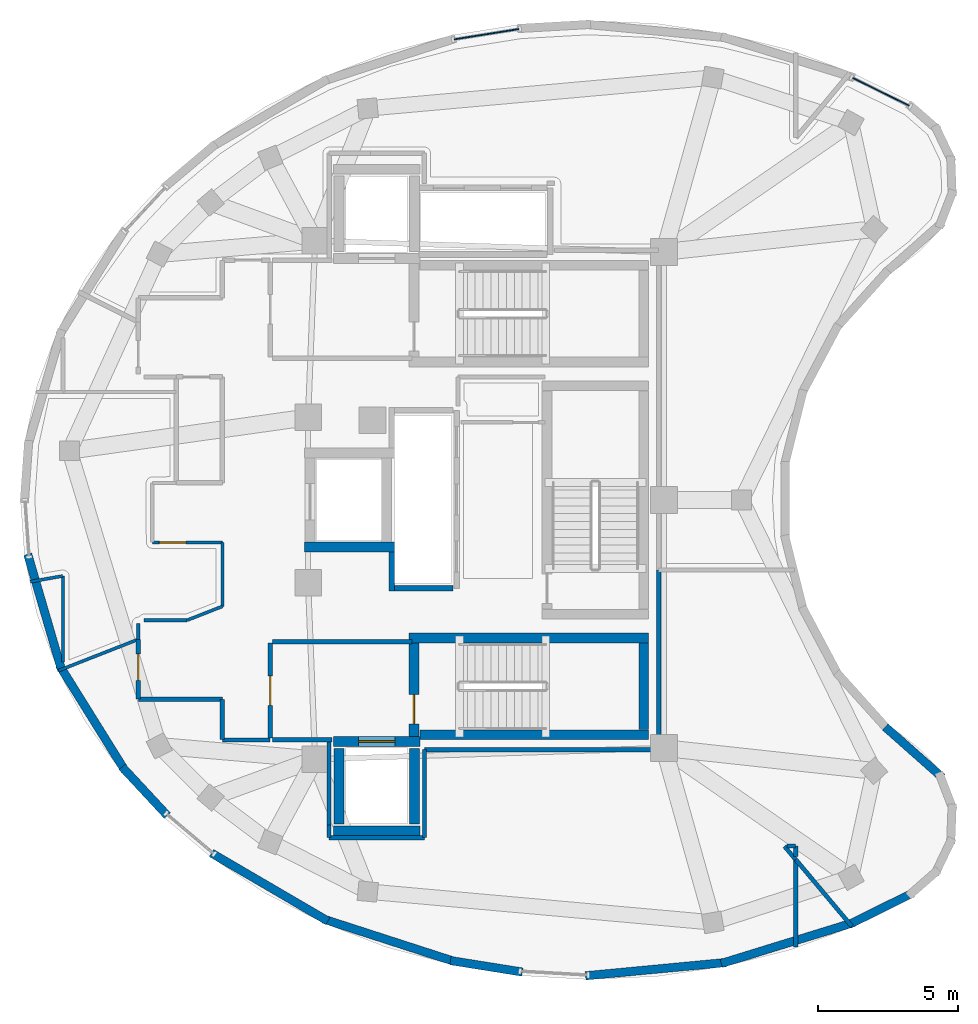
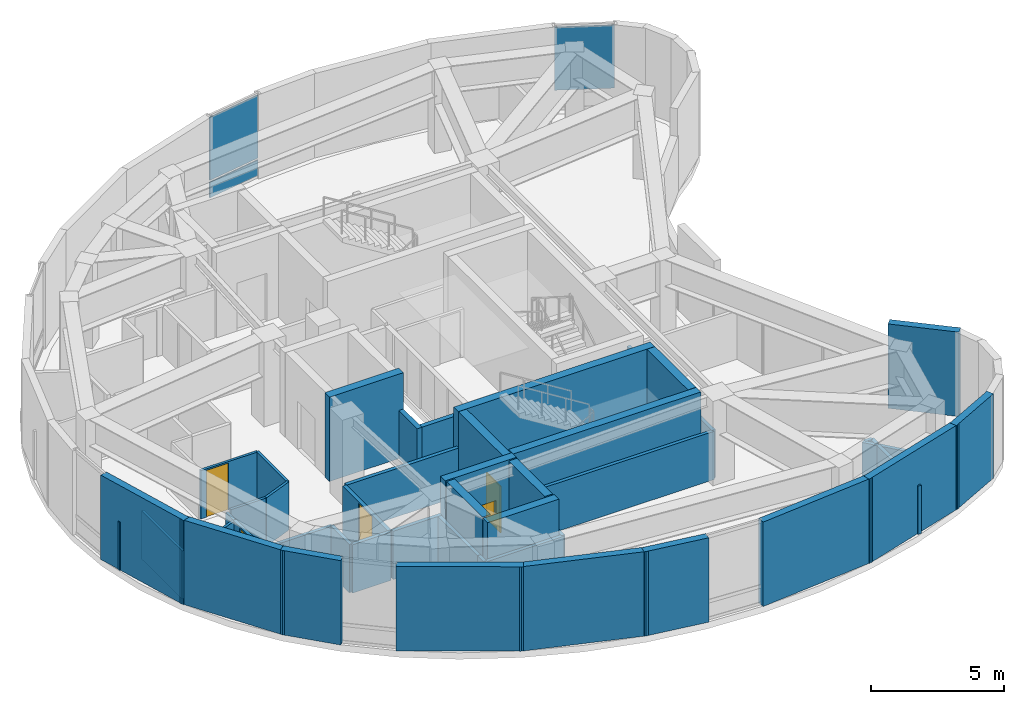
# One storey, part 3 of 8: 47 walls, 5 doors, 3 plates, 5 openings, 2 elements without a shape of their own.
"""IFC4 building model written with IfcOpenShell, lengths in metres."""

from ifc_helpers import new_model, si_unit, direction, frame, frame_2d, origin, origin_2d, place, context, subcontext, project, spatial, rectangle, extrude, material, layer, layer_set, type_object, element, fill, aggregate, save


model = new_model("IFC4")

# Units and contexts
model_context = context("Model", 3, precision=1e-05, world=origin(), true_north=direction((0.0, 1.0)))
body_context = subcontext(model_context, "Body", "Model", "MODEL_VIEW")
ifc_project = project(units=[si_unit("LENGTHUNIT", "METRE"), si_unit("AREAUNIT", "SQUARE_METRE"), si_unit("VOLUMEUNIT", "CUBIC_METRE"), si_unit("PLANEANGLEUNIT", "RADIAN"), si_unit("MASSUNIT", "GRAM", prefix="KILO")], contexts=[model_context])

# Site, building, storey
site_placement = place(None, origin())
site = spatial("IfcSite", under=ifc_project, at=site_placement, CompositionType="ELEMENT")
building_placement = place(site_placement, origin())
building = spatial("IfcBuilding", under=site, at=building_placement, Name="Korentha Bioscience Tower", CompositionType="ELEMENT")
storey_placement = place(building_placement, frame((0.0, 0.0, 331.199951171875)))
storey = spatial("IfcBuildingStorey", under=building, at=storey_placement, Name="L76", CompositionType="ELEMENT", Elevation=331.199951171875)

# Curtain wall, plate
ifc_material_1 = material(Name="Structural Silicone Glazed Aluminium", Category="aluminium")
ifc_layer_1 = layer(ifc_material_1, 0.219970703125, Name="Structural Silicone Glazed Aluminium")
ifc_layer_set_1 = layer_set([ifc_layer_1], Name="Structural Silicone Glazed Aluminium (CW-O1)")
curtain_wall_type = type_object("IfcCurtainWallType", Name="Sky Observatory Acoustic Curtain Wall CW-O1", PredefinedType="USERDEFINED", material=ifc_layer_set_1)
curtain_wall_1_placement = place(storey_placement, origin())
curtain_wall_1 = element("IfcCurtainWall", 1, at=curtain_wall_1_placement, inside=storey, type_object=curtain_wall_type, Name="L76 Curtain Wall 01", ObjectType="UNITISED", PredefinedType="USERDEFINED")
ifc_material_2 = material(Name="Triple-Glazed Low-E Insulated Glass", Category="glass")
ifc_layer_2 = layer(ifc_material_2, 0.0439453125, Name="Triple-Glazed Low-E Insulated Glass")
ifc_layer_set_2 = layer_set([ifc_layer_2], Name="Triple-Glazed Low-E Insulated Glass (GL-44)")
plate_type = type_object("IfcPlateType", Name="Glazed Panel 44mm", PredefinedType="CURTAIN_PANEL", material=ifc_layer_set_2)
plate_1_placement = place(storey_placement, frame((45.29150390625, 41.56396484375, 0.89501953125), z_axis=(0.0, 0.0, 1.0), x_axis=(-0.896323012649, 0.443401688085, 0.0)))
plate_1 = element("IfcPlate", 2, at=plate_1_placement, type_object=plate_type, Name="CW-L76-01 Bay 1 Glazed Panel 2", PredefinedType="CURTAIN_PANEL", context=body_context, shape_type="SweptSolid", body=[
    extrude(rectangle(XDim=2.257080078125, YDim=0.0439453125, at=origin_2d()), origin(), (0.0, 0.0, 1.0), 2.89501953125),
])
aggregate(curtain_wall_1, [plate_1])

# Curtain wall, plates
curtain_wall_2_placement = place(storey_placement, origin())
curtain_wall_2 = element("IfcCurtainWall", 3, at=curtain_wall_2_placement, inside=storey, type_object=curtain_wall_type, Name="L76 Curtain Wall 07", ObjectType="UNITISED", PredefinedType="USERDEFINED")
plate_2_placement = place(storey_placement, frame((31.216796875, 43.619873046875, 0.08984375), z_axis=(0.0, 0.0, 1.0), x_axis=(-0.98751628191, -0.157516960875, 0.0)))
plate_2 = element("IfcPlate", 4, at=plate_2_placement, type_object=plate_type, Name="CW-L76-07 Bay 1 Glazed Panel 1", PredefinedType="CURTAIN_PANEL", context=body_context, shape_type="SweptSolid", body=[
    extrude(rectangle(XDim=2.34033203125, YDim=0.0439453125, at=origin_2d()), origin(), (0.0, 0.0, 1.0), 0.715087890625),
])
plate_3_placement = place(storey_placement, frame((31.216796875, 43.619873046875, 0.89501953125), z_axis=(0.0, 0.0, 1.0), x_axis=(-0.98751628191, -0.157516960875, 0.0)))
plate_3 = element("IfcPlate", 5, at=plate_3_placement, type_object=plate_type, Name="CW-L76-07 Bay 1 Glazed Panel 2", PredefinedType="CURTAIN_PANEL", context=body_context, shape_type="SweptSolid", body=[
    extrude(rectangle(XDim=2.34033203125, YDim=0.0439453125, at=origin_2d()), origin(), (0.0, 0.0, 1.0), 2.89501953125),
])
aggregate(curtain_wall_2, [plate_2, plate_3])

# Wall, opening, door
ifc_material_3 = material(Name="Double-Stud Acoustic Gypsum", Category="gypsum")
ifc_layer_3 = layer(ifc_material_3, 0.14990234375, Name="Double-Stud Acoustic Gypsum")
ifc_layer_set_3 = layer_set([ifc_layer_3], Name="Double-Stud Acoustic Gypsum (IW-L150)")
wall_type_1 = type_object("IfcWallType", Name="Acoustic Laboratory Partition Wall 150", PredefinedType="PARTITIONING", material=ifc_layer_set_3)
wall_1_placement = place(storey_placement, frame((18.7900390625, 22.0166015625, 0.0), z_axis=(0.0, 0.0, 1.0), x_axis=(0.0, -1.0, 0.0)))
wall_1 = element("IfcWall", 6, at=wall_1_placement, inside=storey, type_object=wall_type_1, Name="L76 Staff Pantry Kitchenette 02 Entrance Wall", PredefinedType="PARTITIONING", context=body_context, shape_type="SweptSolid", body=[
    extrude(rectangle(XDim=2.11669921875, YDim=0.14990234375, at=frame_2d((1.058349609375, 0.0))), origin(), (0.0, 0.0, 1.0), 2.219970703125),
])
opening_1_placement = place(wall_1_placement, frame((0.5029296875, 0.0, 0.0)))
opening_1 = element("IfcOpeningElement", 7, at=opening_1_placement, cuts=wall_1, Name="Opening ID-10R", PredefinedType="OPENING", context=body_context, shape_type="SweptSolid", body=[
    extrude(rectangle(XDim=0.949951171875, YDim=2.14990234375, at=frame_2d((0.47509765625, 1.074951171875))), frame((0.0, 0.08984375, 0.0), z_axis=(0.0, -1.0, 0.0), x_axis=(1.0, 0.0, 0.0)), (0.0, 0.0, 1.0), 0.1796875),
])
ifc_material_4 = material(Name="Phenolic Laminate Timber Core", Category="wood")
door_type_1 = type_object("IfcDoorType", Name="Laboratory Single Leaf Door 950x2150 Right", OperationType="SINGLE_SWING_RIGHT", PredefinedType="DOOR", material=ifc_material_4)
door_1_placement = place(opening_1_placement, origin())
door_1 = element("IfcDoor", 8, at=door_1_placement, inside=storey, type_object=door_type_1, Name="L76 Staff Pantry Kitchenette 02 Door", OperationType="SINGLE_SWING_RIGHT", OverallHeight=2.14990234375, OverallWidth=0.949951171875, PredefinedType="DOOR", context=body_context, shape_type="SweptSolid", body=[
    extrude(rectangle(XDim=0.949951171875, YDim=2.14990234375, at=frame_2d((0.47509765625, 1.074951171875))), frame((0.0, 0.02490234375, 0.0), z_axis=(0.0, -1.0, 0.0), x_axis=(1.0, 0.0, 0.0)), (0.0, 0.0, 1.0), 0.050048828125),
])
fill(opening_1, door_1)

# Walls
wall_2_placement = place(storey_placement, frame((25.60009765625, 18.435791015625, 0.0), z_axis=(0.0, 0.0, 1.0), x_axis=(0.0, -1.0, 0.0)))
element("IfcWall", 9, at=wall_2_placement, inside=storey, type_object=wall_type_1, Name="L76 Interior Partition 024", PredefinedType="PARTITIONING", context=body_context, shape_type="SweptSolid", body=[
    extrude(rectangle(XDim=3.029296875, YDim=0.14990234375, at=frame_2d((1.5146484375, 0.0))), origin(), (0.0, 0.0, 1.0), 2.219970703125),
])
wall_3_placement = place(storey_placement, frame((25.60009765625, 15.397216796875, 0.0), z_axis=(0.0, 0.0, 1.0), x_axis=(0.0, -1.0, 0.0)))
element("IfcWall", 10, at=wall_3_placement, inside=storey, type_object=wall_type_1, Name="L76 Interior Partition 025", PredefinedType="PARTITIONING", context=body_context, shape_type="SweptSolid", body=[
    extrude(rectangle(XDim=0.443115234375, YDim=0.14990234375, at=frame_2d((0.2216796875, 0.0))), origin(), (0.0, 0.0, 1.0), 2.219970703125),
])
wall_4_placement = place(storey_placement, frame((25.60400390625, 14.949951171875, 0.0), z_axis=(0.0, 0.0, 1.0), x_axis=(1.0, 0.0, 0.0)))
element("IfcWall", 11, at=wall_4_placement, inside=storey, type_object=wall_type_1, Name="L76 Interior Partition 026", PredefinedType="PARTITIONING", context=body_context, shape_type="SweptSolid", body=[
    extrude(rectangle(XDim=3.391845703125, YDim=0.14990234375, at=frame_2d((1.69580078125, 0.0))), origin(), (0.0, 0.0, 1.0), 2.219970703125),
])
wall_5_placement = place(storey_placement, frame((29.0, 14.9541015625, 0.0), z_axis=(0.0, 0.0, 1.0), x_axis=(0.0, 1.0, 0.0)))
element("IfcWall", 12, at=wall_5_placement, inside=storey, type_object=wall_type_1, Name="L76 Interior Partition 027", PredefinedType="PARTITIONING", context=body_context, shape_type="SweptSolid", body=[
    extrude(rectangle(XDim=3.135986328125, YDim=0.14990234375, at=frame_2d((1.56787109375, 0.0))), origin(), (0.0, 0.0, 1.0), 2.219970703125),
])
wall_6_placement = place(storey_placement, frame((29.0, 18.090087890625, 0.0), z_axis=(0.0, 0.0, 1.0), x_axis=(1.0, 0.0, 0.0)))
element("IfcWall", 13, at=wall_6_placement, inside=storey, type_object=wall_type_1, Name="L76 Interior Partition 028", PredefinedType="PARTITIONING", context=body_context, shape_type="SweptSolid", body=[
    extrude(rectangle(XDim=8.35009765625, YDim=0.14990234375, at=frame_2d((4.175048828125, 0.0))), origin(), (0.0, 0.0, 1.0), 2.219970703125),
])
wall_7_placement = place(storey_placement, frame((37.360107421875, 18.10009765625, 0.0), z_axis=(0.0, 0.0, 1.0), x_axis=(0.0, 1.0, 0.0)))
element("IfcWall", 14, at=wall_7_placement, inside=storey, type_object=wall_type_1, Name="L76 Interior Partition 029", PredefinedType="PARTITIONING", context=body_context, shape_type="SweptSolid", body=[
    extrude(rectangle(XDim=6.39794921875, YDim=0.14990234375, at=frame_2d((3.198974609375, 0.0))), origin(), (0.0, 0.0, 1.0), 2.219970703125),
])
wall_8_placement = place(storey_placement, frame((44.2509765625, 11.7880859375, 0.0), z_axis=(0.0, 0.0, 1.0), x_axis=(-0.642771566393, 0.766057904754, 0.0)))
element("IfcWall", 15, at=wall_8_placement, inside=storey, type_object=wall_type_1, Name="L76 Interior Partition 031", PredefinedType="PARTITIONING", context=body_context, shape_type="SweptSolid", body=[
    extrude(rectangle(XDim=3.10498046875, YDim=0.14990234375, at=frame_2d((1.552490234375, 0.0))), origin(), (0.0, 0.0, 1.0), 2.219970703125),
])
wall_9_placement = place(storey_placement, frame((42.248046875, 14.1640625, 0.0), z_axis=(0.0, 0.0, 1.0), x_axis=(0.0, -1.0, 0.0)))
element("IfcWall", 16, at=wall_9_placement, inside=storey, type_object=wall_type_1, Name="L76 Interior Partition 032", PredefinedType="PARTITIONING", context=body_context, shape_type="SweptSolid", body=[
    extrude(rectangle(XDim=3.111083984375, YDim=0.14990234375, at=frame_2d((1.5556640625, 0.0))), origin(), (0.0, 0.0, 1.0), 2.219970703125),
])
wall_10_placement = place(storey_placement, frame((18.800048828125, 19.889892578125, 0.0), z_axis=(0.0, 0.0, 1.0), x_axis=(1.0, 0.0, 0.0)))
element("IfcWall", 17, at=wall_10_placement, inside=storey, type_object=wall_type_1, Name="L76 Interior Partition 033", PredefinedType="PARTITIONING", context=body_context, shape_type="SweptSolid", body=[
    extrude(rectangle(XDim=2.989990234375, YDim=0.14990234375, at=frame_2d((1.4951171875, 0.0))), origin(), (0.0, 0.0, 1.0), 2.219970703125),
])
wall_11_placement = place(storey_placement, frame((21.7900390625, 19.889892578125, 0.0), z_axis=(0.0, 0.0, 1.0), x_axis=(0.0, -1.0, 0.0)))
element("IfcWall", 18, at=wall_11_placement, inside=storey, type_object=wall_type_1, Name="L76 Interior Partition 034", PredefinedType="PARTITIONING", context=body_context, shape_type="SweptSolid", body=[
    extrude(rectangle(XDim=1.43994140625, YDim=0.14990234375, at=frame_2d((0.719970703125, 0.0))), origin(), (0.0, 0.0, 1.0), 2.219970703125),
])
wall_12_placement = place(storey_placement, frame((21.800048828125, 18.43994140625, 0.0), z_axis=(0.0, 0.0, 1.0), x_axis=(1.0, 0.0, 0.0)))
element("IfcWall", 19, at=wall_12_placement, inside=storey, type_object=wall_type_1, Name="L76 Interior Partition 035", PredefinedType="PARTITIONING", context=body_context, shape_type="SweptSolid", body=[
    extrude(rectangle(XDim=1.68994140625, YDim=0.14990234375, at=frame_2d((0.844970703125, 0.0))), origin(), (0.0, 0.0, 1.0), 2.219970703125),
])
wall_13_placement = place(storey_placement, frame((41.848388671875, 14.6455078125, 0.0), z_axis=(0.0, 0.0, 1.0), x_axis=(0.642477400036, -0.766304632925, 0.0)))
element("IfcWall", 20, at=wall_13_placement, inside=storey, type_object=wall_type_1, Name="L76 Interior Partition 036", PredefinedType="PARTITIONING", context=body_context, shape_type="SweptSolid", body=[
    extrude(rectangle(XDim=0.6171875, YDim=0.14990234375, at=frame_2d((0.30859375, 0.0))), origin(), (0.0, 0.0, 1.0), 2.219970703125),
])
wall_14_placement = place(storey_placement, frame((42.251953125, 14.28564453125, 0.0), z_axis=(0.0, 0.0, 1.0), x_axis=(0.0, 1.0, 0.0)))
element("IfcWall", 21, at=wall_14_placement, inside=storey, type_object=wall_type_1, Name="L76 Interior Partition 037", PredefinedType="PARTITIONING", context=body_context, shape_type="SweptSolid", body=[
    extrude(rectangle(XDim=0.362060546875, YDim=0.14990234375, at=frame_2d((0.18115234375, 0.0))), origin(), (0.0, 0.0, 1.0), 2.219970703125),
])
wall_15_placement = place(storey_placement, frame((42.247802734375, 14.652099609375, 0.0), z_axis=(0.0, 0.0, 1.0), x_axis=(-1.0, 0.0, 0.0)))
element("IfcWall", 22, at=wall_15_placement, inside=storey, type_object=wall_type_1, Name="L76 Interior Partition 038", PredefinedType="PARTITIONING", context=body_context, shape_type="SweptSolid", body=[
    extrude(rectangle(XDim=0.30322265625, YDim=0.14990234375, at=frame_2d((0.151611328125, 0.0))), origin(), (0.0, 0.0, 1.0), 2.219970703125),
])

# Wall, opening, door
ifc_material_5 = material(Name="Fire-Rated Framed Glass", Category="glass")
ifc_layer_4 = layer(ifc_material_5, 0.110107421875, Name="Fire-Rated Framed Glass")
ifc_layer_set_4 = layer_set([ifc_layer_4], Name="Fire-Rated Framed Glass (IW-G110)")
wall_type_2 = type_object("IfcWallType", Name="Demountable Glazed Office Partition 110", PredefinedType="MOVABLE", material=ifc_layer_set_4)
wall_16_placement = place(storey_placement, frame((19.300048828125, 25.489990234375, 0.0), z_axis=(0.0, 0.0, 1.0), x_axis=(1.0, 0.0, 0.0)))
wall_16 = element("IfcWall", 23, at=wall_16_placement, inside=storey, type_object=wall_type_2, Name="L76 Research Colloquium Seminar Room 01 Entrance Wall", PredefinedType="MOVABLE", context=body_context, shape_type="SweptSolid", body=[
    extrude(rectangle(XDim=2.489990234375, YDim=0.110107421875, at=frame_2d((1.2451171875, 0.0))), origin(), (0.0, 0.0, 1.0), 2.219970703125),
])
opening_2_placement = place(wall_16_placement, frame((0.239990234375, 0.0, 0.0)))
opening_2 = element("IfcOpeningElement", 24, at=opening_2_placement, cuts=wall_16, Name="Opening ID-10L", PredefinedType="OPENING", context=body_context, shape_type="SweptSolid", body=[
    extrude(rectangle(XDim=0.949951171875, YDim=2.14990234375, at=frame_2d((0.47509765625, 1.074951171875))), frame((0.0, 0.06982421875, 0.0), z_axis=(0.0, -1.0, 0.0), x_axis=(1.0, 0.0, 0.0)), (0.0, 0.0, 1.0), 0.139892578125),
])
door_type_2 = type_object("IfcDoorType", Name="Laboratory Single Leaf Door 950x2150 Left", OperationType="SINGLE_SWING_LEFT", PredefinedType="DOOR", material=ifc_material_4)
door_2_placement = place(opening_2_placement, origin())
door_2 = element("IfcDoor", 25, at=door_2_placement, inside=storey, type_object=door_type_2, Name="L76 Research Colloquium Seminar Room 01 Door", OperationType="SINGLE_SWING_LEFT", OverallHeight=2.14990234375, OverallWidth=0.949951171875, PredefinedType="DOOR", context=body_context, shape_type="SweptSolid", body=[
    extrude(rectangle(XDim=0.949951171875, YDim=2.14990234375, at=frame_2d((0.47509765625, 1.074951171875))), frame((0.0, 0.02490234375, 0.0), z_axis=(0.0, -1.0, 0.0), x_axis=(1.0, 0.0, 0.0)), (0.0, 0.0, 1.0), 0.050048828125),
])
fill(opening_2, door_2)

# Walls
wall_17_placement = place(storey_placement, frame((21.7900390625, 25.489990234375, 0.0), z_axis=(0.0, 0.0, 1.0), x_axis=(0.0, -1.0, 0.0)))
element("IfcWall", 26, at=wall_17_placement, inside=storey, type_object=wall_type_2, Name="L76 Interior Partition 017", PredefinedType="MOVABLE", context=body_context, shape_type="SweptSolid", body=[
    extrude(rectangle(XDim=2.286865234375, YDim=0.110107421875, at=frame_2d((1.1435546875, 0.0))), origin(), (0.0, 0.0, 1.0), 2.219970703125),
])
wall_18_placement = place(storey_placement, frame((21.7900390625, 23.203125, 0.0), z_axis=(0.0, 0.0, 1.0), x_axis=(-0.931045414271, -0.364903324957, 0.0)))
element("IfcWall", 27, at=wall_18_placement, inside=storey, type_object=wall_type_2, Name="L76 Interior Partition 018", PredefinedType="MOVABLE", context=body_context, shape_type="SweptSolid", body=[
    extrude(rectangle(XDim=1.3515625, YDim=0.110107421875, at=frame_2d((0.67578125, 0.0))), origin(), (0.0, 0.0, 1.0), 2.219970703125),
])
wall_19_placement = place(storey_placement, frame((20.53173828125, 22.7099609375, 0.0), z_axis=(0.0, 0.0, 1.0), x_axis=(-1.0, 0.0, 0.0)))
element("IfcWall", 28, at=wall_19_placement, inside=storey, type_object=wall_type_2, Name="L76 Interior Partition 019", PredefinedType="MOVABLE", context=body_context, shape_type="SweptSolid", body=[
    extrude(rectangle(XDim=1.53173828125, YDim=0.110107421875, at=frame_2d((0.765869140625, 0.0))), origin(), (0.0, 0.0, 1.0), 2.219970703125),
])
wall_20_placement = place(storey_placement, frame((18.7900390625, 22.60009765625, 0.0), z_axis=(0.0, 0.0, 1.0), x_axis=(0.0, -1.0, 0.0)))
element("IfcWall", 29, at=wall_20_placement, inside=storey, type_object=wall_type_2, Name="L76 Interior Partition 020", PredefinedType="MOVABLE", context=body_context, shape_type="SweptSolid", body=[
    extrude(rectangle(XDim=0.57275390625, YDim=0.110107421875, at=frame_2d((0.286376953125, 0.0))), origin(), (0.0, 0.0, 1.0), 2.219970703125),
])
wall_21_placement = place(storey_placement, frame((18.7900390625, 22.02734375, 0.0), z_axis=(0.0, 0.0, 1.0), x_axis=(-0.931059597412, -0.364867134813, 0.0)))
element("IfcWall", 30, at=wall_21_placement, inside=storey, type_object=wall_type_2, Name="L76 Interior Partition 021", PredefinedType="MOVABLE", context=body_context, shape_type="SweptSolid", body=[
    extrude(rectangle(XDim=3.0498046875, YDim=0.110107421875, at=frame_2d((1.52490234375, 0.0))), origin(), (0.0, 0.0, 1.0), 2.219970703125),
])
wall_22_placement = place(storey_placement, frame((16.10205078125, 21.2265625, 0.0), z_axis=(0.0, 0.0, 1.0), x_axis=(0.0, 1.0, 0.0)))
element("IfcWall", 31, at=wall_22_placement, inside=storey, type_object=wall_type_2, Name="L76 Interior Partition 022", PredefinedType="MOVABLE", context=body_context, shape_type="SweptSolid", body=[
    extrude(rectangle(XDim=3.058349609375, YDim=0.110107421875, at=frame_2d((1.529296875, 0.0))), origin(), (0.0, 0.0, 1.0), 2.219970703125),
])
wall_23_placement = place(storey_placement, frame((16.097412109375, 24.288818359375, 0.0), z_axis=(0.0, 0.0, 1.0), x_axis=(-0.984814976585, -0.173607205765, 0.0)))
element("IfcWall", 32, at=wall_23_placement, inside=storey, type_object=wall_type_2, Name="L76 Interior Partition 023", PredefinedType="MOVABLE", context=body_context, shape_type="SweptSolid", body=[
    extrude(rectangle(XDim=1.1728515625, YDim=0.110107421875, at=frame_2d((0.58642578125, 0.0))), origin(), (0.0, 0.0, 1.0), 2.219970703125),
])

# Wall, opening, door
ifc_material_6 = material(Name="Gypsum-Clad Steel Stud", Category="steel")
ifc_layer_5 = layer(ifc_material_6, 0.159912109375, Name="Gypsum-Clad Steel Stud")
ifc_layer_set_5 = layer_set([ifc_layer_5], Name="Gypsum-Clad Steel Stud (IW-C160)")
wall_type_3 = type_object("IfcWallType", Name="Fire-Rated Corridor Partition Wall 160", PredefinedType="PARTITIONING", material=ifc_layer_set_5)
wall_24_placement = place(storey_placement, frame((23.5, 18.5, 0.0), z_axis=(0.0, 0.0, 1.0), x_axis=(0.0, 1.0, 0.0)))
wall_24 = element("IfcWall", 33, at=wall_24_placement, inside=storey, type_object=wall_type_3, Name="L76 FFLS-CW Rated Enclosure Wall", PredefinedType="PARTITIONING", context=body_context, shape_type="SweptSolid", body=[
    extrude(rectangle(XDim=3.39990234375, YDim=0.159912109375, at=frame_2d((1.699951171875, 0.0))), origin(), (0.0, 0.0, 1.0), 2.219970703125),
])
opening_3_placement = place(wall_24_placement, frame((1.175048828125, 0.0, 0.0)))
opening_3 = element("IfcOpeningElement", 34, at=opening_3_placement, cuts=wall_24, Name="Opening FD-90L", PredefinedType="OPENING", context=body_context, shape_type="SweptSolid", body=[
    extrude(rectangle(XDim=1.050048828125, YDim=2.14990234375, at=frame_2d((0.52490234375, 1.074951171875))), frame((0.0, 0.0947265625, 0.0), z_axis=(0.0, -1.0, 0.0), x_axis=(1.0, 0.0, 0.0)), (0.0, 0.0, 1.0), 0.189697265625),
])
ifc_material_7 = material(Name="Powder-Coated Fire-Rated Steel", Category="steel")
door_type_3 = type_object("IfcDoorType", Name="Stairwell Fire Exit Door 1050x2150 Left", OperationType="SINGLE_SWING_LEFT", PredefinedType="DOOR", material=ifc_material_7)
door_3_placement = place(opening_3_placement, origin())
door_3 = element("IfcDoor", 35, at=door_3_placement, inside=storey, type_object=door_type_3, Name="L76 South Firefighting Lobby Door", OperationType="SINGLE_SWING_LEFT", OverallHeight=2.14990234375, OverallWidth=1.050048828125, PredefinedType="DOOR", context=body_context, shape_type="SweptSolid", body=[
    extrude(rectangle(XDim=1.050048828125, YDim=2.14990234375, at=frame_2d((0.52490234375, 1.074951171875))), frame((0.0, 0.02490234375, 0.0), z_axis=(0.0, -1.0, 0.0), x_axis=(1.0, 0.0, 0.0)), (0.0, 0.0, 1.0), 0.050048828125),
])
fill(opening_3, door_3)

# Walls
wall_25_placement = place(storey_placement, frame((23.580078125, 21.949951171875, 0.0), z_axis=(0.0, 0.0, 1.0), x_axis=(1.0, 0.0, 0.0)))
element("IfcWall", 36, at=wall_25_placement, inside=storey, type_object=wall_type_3, Name="L76 Firefighting Lobby Return Wall FFLS-N", PredefinedType="PARTITIONING", context=body_context, shape_type="SweptSolid", body=[
    extrude(rectangle(XDim=4.969970703125, YDim=0.159912109375, at=frame_2d((2.48486328125, 0.0))), origin(), (0.0, 0.0, 1.0), 2.219970703125),
])
wall_26_placement = place(storey_placement, frame((23.580078125, 18.449951171875, 0.0), z_axis=(0.0, 0.0, 1.0), x_axis=(1.0, 0.0, 0.0)))
element("IfcWall", 37, at=wall_26_placement, inside=storey, type_object=wall_type_3, Name="L76 Firefighting Lobby Return Wall FFLS-S", PredefinedType="PARTITIONING", context=body_context, shape_type="SweptSolid", body=[
    extrude(rectangle(XDim=2.119873046875, YDim=0.159912109375, at=frame_2d((1.06005859375, 0.0))), origin(), (0.0, 0.0, 1.0), 2.219970703125),
])
ifc_material_8 = material(Name="Honed Limestone Precast Concrete C40", Category="masonry")
ifc_layer_6 = layer(ifc_material_8, 0.300048828125, Name="Honed Limestone Precast Concrete C40")
ifc_layer_set_6 = layer_set([ifc_layer_6], Name="Honed Limestone Precast Concrete C40 (EW-ST300)")
wall_type_4 = type_object("IfcWallType", Name="Honed Limestone Cavity Spandrel Wall 300", PredefinedType="STANDARD", material=ifc_layer_set_6)
wall_27_placement = place(storey_placement, frame((14.84619140625, 25.06396484375, 0.0), z_axis=(0.0, 0.0, 1.0), x_axis=(0.280777958988, -0.95977275318, 0.0)))
element("IfcWall", 38, at=wall_27_placement, inside=storey, type_object=wall_type_4, Name="L76 Limestone Perimeter Closure Wall 20", PredefinedType="STANDARD", context=body_context, shape_type="SweptSolid", body=[
    extrude(rectangle(XDim=4.313720703125, YDim=0.300048828125, at=frame_2d((2.15673828125, 0.0))), origin(), (0.0, 0.0, 1.0), 3.880126953125),
])
wall_28_placement = place(storey_placement, frame((15.977294921875, 21.103271484375, 0.0), z_axis=(0.0, 0.0, 1.0), x_axis=(0.528532323195, -0.848913177739, 0.0)))
element("IfcWall", 39, at=wall_28_placement, inside=storey, type_object=wall_type_4, Name="L76 Limestone Perimeter Closure Wall 22", PredefinedType="STANDARD", context=body_context, shape_type="SweptSolid", body=[
    extrude(rectangle(XDim=4.446533203125, YDim=0.300048828125, at=frame_2d((2.22314453125, 0.0))), origin(), (0.0, 0.0, 1.0), 3.880126953125),
])
wall_29_placement = place(storey_placement, frame((18.21435546875, 17.476318359375, 0.0), z_axis=(0.0, 0.0, 1.0), x_axis=(0.680395873242, -0.732844769154, 0.0)))
element("IfcWall", 40, at=wall_29_placement, inside=storey, type_object=wall_type_4, Name="L76 Limestone Perimeter Closure Wall 24", PredefinedType="STANDARD", context=body_context, shape_type="SweptSolid", body=[
    extrude(rectangle(XDim=2.3740234375, YDim=0.300048828125, at=frame_2d((1.18701171875, 0.0))), origin(), (0.0, 0.0, 1.0), 3.880126953125),
])
wall_30_placement = place(storey_placement, frame((21.402099609375, 14.401611328125, 0.0), z_axis=(0.0, 0.0, 1.0), x_axis=(0.863401501791, -0.504517439446, 0.0)))
element("IfcWall", 41, at=wall_30_placement, inside=storey, type_object=wall_type_4, Name="L76 Limestone Perimeter Closure Wall 26", PredefinedType="STANDARD", context=body_context, shape_type="SweptSolid", body=[
    extrude(rectangle(XDim=4.81298828125, YDim=0.300048828125, at=frame_2d((2.406494140625, 0.0))), origin(), (0.0, 0.0, 1.0), 3.880126953125),
])
wall_31_placement = place(storey_placement, frame((25.385009765625, 12.050537109375, 0.0), z_axis=(0.0, 0.0, 1.0), x_axis=(0.951426715333, -0.307875308122, 0.0)))
element("IfcWall", 42, at=wall_31_placement, inside=storey, type_object=wall_type_4, Name="L76 Limestone Perimeter Closure Wall 28", PredefinedType="STANDARD", context=body_context, shape_type="SweptSolid", body=[
    extrude(rectangle(XDim=4.961669921875, YDim=0.300048828125, at=frame_2d((2.48095703125, 0.0))), origin(), (0.0, 0.0, 1.0), 3.880126953125),
])
wall_32_placement = place(storey_placement, frame((29.9296875, 10.565185546875, 0.0), z_axis=(0.0, 0.0, 1.0), x_axis=(0.987526611328, -0.157452189313, 0.0)))
element("IfcWall", 43, at=wall_32_placement, inside=storey, type_object=wall_type_4, Name="L76 Limestone Perimeter Closure Wall 30", PredefinedType="STANDARD", context=body_context, shape_type="SweptSolid", body=[
    extrude(rectangle(XDim=2.600341796875, YDim=0.300048828125, at=frame_2d((1.30029296875, 0.0))), origin(), (0.0, 0.0, 1.0), 3.880126953125),
])
wall_33_placement = place(storey_placement, frame((34.751220703125, 10.022216796875, 0.0), z_axis=(0.0, 0.0, 1.0), x_axis=(0.995548134252, 0.094254508581, 0.0)))
element("IfcWall", 44, at=wall_33_placement, inside=storey, type_object=wall_type_4, Name="L76 Limestone Perimeter Closure Wall 32", PredefinedType="STANDARD", context=body_context, shape_type="SweptSolid", body=[
    extrude(rectangle(XDim=5.04833984375, YDim=0.300048828125, at=frame_2d((2.524169921875, 0.0))), origin(), (0.0, 0.0, 1.0), 3.880126953125),
])
wall_34_placement = place(storey_placement, frame((39.593017578125, 10.46142578125, 0.0), z_axis=(0.0, 0.0, 1.0), x_axis=(0.9554928178, 0.295014364281, 0.0)))
element("IfcWall", 45, at=wall_34_placement, inside=storey, type_object=wall_type_4, Name="L76 Limestone Perimeter Closure Wall 34", PredefinedType="STANDARD", context=body_context, shape_type="SweptSolid", body=[
    extrude(rectangle(XDim=4.969482421875, YDim=0.300048828125, at=frame_2d((2.48486328125, 0.0))), origin(), (0.0, 0.0, 1.0), 3.880126953125),
])
wall_35_placement = place(storey_placement, frame((44.17236328125, 11.860107421875, 0.0), z_axis=(0.0, 0.0, 1.0), x_axis=(0.896281838878, 0.443484909887, 0.0)))
element("IfcWall", 46, at=wall_35_placement, inside=storey, type_object=wall_type_4, Name="L76 Limestone Perimeter Closure Wall 36", PredefinedType="STANDARD", context=body_context, shape_type="SweptSolid", body=[
    extrude(rectangle(XDim=2.516845703125, YDim=0.300048828125, at=frame_2d((1.25830078125, 0.0))), origin(), (0.0, 0.0, 1.0), 3.880126953125),
])
wall_36_placement = place(storey_placement, frame((47.485107421875, 17.09521484375, 0.0), z_axis=(0.0, 0.0, 1.0), x_axis=(-0.748663112281, 0.662950634897, 0.0)))
element("IfcWall", 47, at=wall_36_placement, inside=storey, type_object=wall_type_4, Name="L76 Limestone Perimeter Closure Wall 41", PredefinedType="STANDARD", context=body_context, shape_type="SweptSolid", body=[
    extrude(rectangle(XDim=2.725830078125, YDim=0.300048828125, at=frame_2d((1.36279296875, 0.0))), origin(), (0.0, 0.0, 1.0), 3.880126953125),
])
ifc_material_9 = material(Name="Autoclaved Aerated Concrete Block C25", Category="concrete")
ifc_layer_7 = layer(ifc_material_9, 0.199951171875, Name="Autoclaved Aerated Concrete Block C25")
ifc_layer_set_7 = layer_set([ifc_layer_7], Name="Autoclaved Aerated Concrete Block C25 (IW-S200)")
wall_type_5 = type_object("IfcWallType", Name="Lift and Riser Shaft Enclosure Wall 200", PredefinedType="PARTITIONING", material=ifc_layer_set_7)
wall_37_placement = place(storey_placement, frame((27.830078125, 23.75, 0.0), z_axis=(0.0, 0.0, 1.0), x_axis=(0.0, 1.0, 0.0)))
element("IfcWall", 48, at=wall_37_placement, inside=storey, type_object=wall_type_5, Name="L76 Lift Bank HIGH Shaft Wall -XS", PredefinedType="PARTITIONING", context=body_context, shape_type="SweptSolid", body=[
    extrude(rectangle(XDim=1.39111328125, YDim=0.199951171875, at=frame_2d((0.695556640625, 0.0))), origin(), (0.0, 0.0, 1.0), 2.219970703125),
])
wall_38_placement = place(storey_placement, frame((27.93408203125, 23.85009765625, 0.0), z_axis=(0.0, 0.0, 1.0), x_axis=(1.0, 0.0, 0.0)))
element("IfcWall", 49, at=wall_38_placement, inside=storey, type_object=wall_type_5, Name="L76 Lift Bank HIGH Shaft Wall -Y", PredefinedType="PARTITIONING", context=body_context, shape_type="SweptSolid", body=[
    extrude(rectangle(XDim=2.095947265625, YDim=0.199951171875, at=frame_2d((1.0478515625, 0.0))), origin(), (0.0, 0.0, 1.0), 2.219970703125),
])
ifc_material_10 = material(Name="Concrete C50", Category="concrete")
ifc_layer_8 = layer(ifc_material_10, 0.35009765625, Name="Concrete C50")
ifc_layer_set_8 = layer_set([ifc_layer_8], Name="Concrete C50 (CW-C50)")
wall_type_6 = type_object("IfcWallType", Name="Upper Core Shear Wall 350", PredefinedType="SHEAR", material=ifc_layer_set_8)
wall_39_placement = place(storey_placement, frame((28.85205078125, 18.625, 0.0), z_axis=(0.0, 0.0, 1.0), x_axis=(1.0, 0.0, 0.0)))
element("IfcWall", 50, at=wall_39_placement, inside=storey, type_object=wall_type_6, Name="L76 Core Shear Wall ST2-S", PredefinedType="SHEAR", context=body_context, shape_type="SweptSolid", body=[
    extrude(rectangle(XDim=8.14794921875, YDim=0.35009765625, at=frame_2d((4.073974609375, 0.0))), origin(), (0.0, 0.0, 1.0), 3.880126953125),
])
wall_40_placement = place(storey_placement, frame((28.449951171875, 22.074951171875, 0.0), z_axis=(0.0, 0.0, 1.0), x_axis=(1.0, 0.0, 0.0)))
element("IfcWall", 51, at=wall_40_placement, inside=storey, type_object=wall_type_6, Name="L76 Core Shear Wall ST2-N", PredefinedType="SHEAR", context=body_context, shape_type="SweptSolid", body=[
    extrude(rectangle(XDim=8.550048828125, YDim=0.35009765625, at=frame_2d((4.27490234375, 0.0))), origin(), (0.0, 0.0, 1.0), 3.880126953125),
])
wall_41_placement = place(storey_placement, frame((36.824951171875, 18.81005859375, 0.0), z_axis=(0.0, 0.0, 1.0), x_axis=(0.0, 1.0, 0.0)))
element("IfcWall", 52, at=wall_41_placement, inside=storey, type_object=wall_type_6, Name="L76 Core Shear Wall ST2-E", PredefinedType="SHEAR", context=body_context, shape_type="SweptSolid", body=[
    extrude(rectangle(XDim=3.079833984375, YDim=0.35009765625, at=frame_2d((1.5400390625, 0.0))), origin(), (0.0, 0.0, 1.0), 3.880126953125),
])

# Wall, opening, door
wall_42_placement = place(storey_placement, frame((28.625, 18.556884765625, 0.0), z_axis=(0.0, 0.0, 1.0), x_axis=(0.0, 1.0, 0.0)))
wall_42 = element("IfcWall", 53, at=wall_42_placement, inside=storey, type_object=wall_type_6, Name="L76 Core Shear Wall ST2-W", PredefinedType="SHEAR", context=body_context, shape_type="SweptSolid", body=[
    extrude(rectangle(XDim=3.3330078125, YDim=0.35009765625, at=frame_2d((1.66650390625, 0.0))), origin(), (0.0, 0.0, 1.0), 3.880126953125),
])
opening_4_placement = place(wall_42_placement, frame((0.452880859375, 0.0, 0.0)))
opening_4 = element("IfcOpeningElement", 54, at=opening_4_placement, cuts=wall_42, Name="Opening FD-90L", PredefinedType="OPENING", context=body_context, shape_type="SweptSolid", body=[
    extrude(rectangle(XDim=1.050048828125, YDim=2.14990234375, at=frame_2d((0.52490234375, 1.074951171875))), frame((0.0, 0.18994140625, 0.0), z_axis=(0.0, -1.0, 0.0), x_axis=(1.0, 0.0, 0.0)), (0.0, 0.0, 1.0), 0.3798828125),
])
door_4_placement = place(opening_4_placement, origin())
door_4 = element("IfcDoor", 55, at=door_4_placement, inside=storey, type_object=door_type_3, Name="L76 ST-2 Fire Exit Stair Door", OperationType="SINGLE_SWING_LEFT", OverallHeight=2.14990234375, OverallWidth=1.050048828125, PredefinedType="DOOR", context=body_context, shape_type="SweptSolid", body=[
    extrude(rectangle(XDim=1.050048828125, YDim=2.14990234375, at=frame_2d((0.52490234375, 1.074951171875))), frame((0.0, 0.02490234375, 0.0), z_axis=(0.0, -1.0, 0.0), x_axis=(1.0, 0.0, 0.0)), (0.0, 0.0, 1.0), 0.050048828125),
])
fill(opening_4, door_4)

# Wall
wall_43_placement = place(storey_placement, frame((25.75, 15.199951171875, 0.0), z_axis=(0.0, 0.0, 1.0), x_axis=(1.0, 0.0, 0.0)))
element("IfcWall", 56, at=wall_43_placement, inside=storey, type_object=wall_type_6, Name="L76 Core Shear Wall FFL1-S", PredefinedType="SHEAR", context=body_context, shape_type="SweptSolid", body=[
    extrude(rectangle(XDim=3.10009765625, YDim=0.35009765625, at=frame_2d((1.550048828125, 0.0))), origin(), (0.0, 0.0, 1.0), 3.880126953125),
])

# Wall, opening, door
wall_44_placement = place(storey_placement, frame((25.75, 18.3798828125, 0.0), z_axis=(0.0, 0.0, 1.0), x_axis=(1.0, 0.0, 0.0)))
wall_44 = element("IfcWall", 57, at=wall_44_placement, inside=storey, type_object=wall_type_6, Name="L76 Core Shear Wall FFL1-N", PredefinedType="SHEAR", context=body_context, shape_type="SweptSolid", body=[
    extrude(rectangle(XDim=3.10009765625, YDim=0.35009765625, at=frame_2d((1.550048828125, 0.0))), origin(), (0.0, 0.0, 1.0), 3.880126953125),
])
opening_5_placement = place(wall_44_placement, frame((0.89990234375, 0.0, 0.0)))
opening_5 = element("IfcOpeningElement", 58, at=opening_5_placement, cuts=wall_44, Name="Opening LD-13", PredefinedType="OPENING", context=body_context, shape_type="SweptSolid", body=[
    extrude(rectangle(XDim=1.300048828125, YDim=2.199951171875, at=frame_2d((0.64990234375, 1.10009765625))), frame((0.0, 0.18994140625, 0.0), z_axis=(0.0, -1.0, 0.0), x_axis=(1.0, 0.0, 0.0)), (0.0, 0.0, 1.0), 0.3798828125),
])
ifc_material_11 = material(Name="Brushed Stainless Steel 316", Category="steel")
door_type_4 = type_object("IfcDoorType", Name="Service & Firefighting Lift Landing Door 1300x2300", OperationType="DOUBLE_DOOR_SLIDING", PredefinedType="DOOR", material=ifc_material_11)
door_5_placement = place(opening_5_placement, origin())
door_5 = element("IfcDoor", 59, at=door_5_placement, inside=storey, type_object=door_type_4, Name="L76 FFL-1 Sliding Lift Landing Door", OperationType="DOUBLE_DOOR_SLIDING", OverallHeight=2.199951171875, OverallWidth=1.300048828125, PredefinedType="DOOR", context=body_context, shape_type="SweptSolid", body=[
    extrude(rectangle(XDim=1.300048828125, YDim=2.199951171875, at=frame_2d((0.64990234375, 1.10009765625))), frame((0.0, 0.02490234375, 0.0), z_axis=(0.0, -1.0, 0.0), x_axis=(1.0, 0.0, 0.0)), (0.0, 0.0, 1.0), 0.050048828125),
])
fill(opening_5, door_5)

# Walls
for number, where, z_axis, x_axis, name in (
    (60, (25.949951171875, 15.43994140625, 0.0), (0.0, 0.0, 1.0), (0.0, 1.0, 0.0), "L76 Core Shear Wall FFL1-W"),
    (61, (28.64990234375, 15.43994140625, 0.0), (0.0, 0.0, 1.0), (0.0, 1.0, 0.0), "L76 Core Shear Wall FFL1-E"),
):
    element("IfcWall", number, at=place(storey_placement, frame(where, z_axis=z_axis, x_axis=x_axis)), inside=storey, type_object=wall_type_6, Name=name, PredefinedType="SHEAR", context=body_context, shape_type="SweptSolid", body=[
        extrude(rectangle(XDim=2.699951171875, YDim=0.35009765625, at=frame_2d((1.35009765625, 0.0))), origin(), (0.0, 0.0, 1.0), 3.880126953125),
    ])
wall_45_placement = place(storey_placement, frame((24.719970703125, 25.320068359375, 0.0), z_axis=(0.0, 0.0, 1.0), x_axis=(1.0, 0.0, 0.0)))
element("IfcWall", 62, at=wall_45_placement, inside=storey, type_object=wall_type_6, Name="L76 Core Shear Wall SVL1-S", PredefinedType="SHEAR", context=body_context, shape_type="SweptSolid", body=[
    extrude(rectangle(XDim=3.2099609375, YDim=0.35009765625, at=frame_2d((1.60498046875, 0.0))), origin(), (0.0, 0.0, 1.0), 3.880126953125),
])

save(model, "model.ifc")
